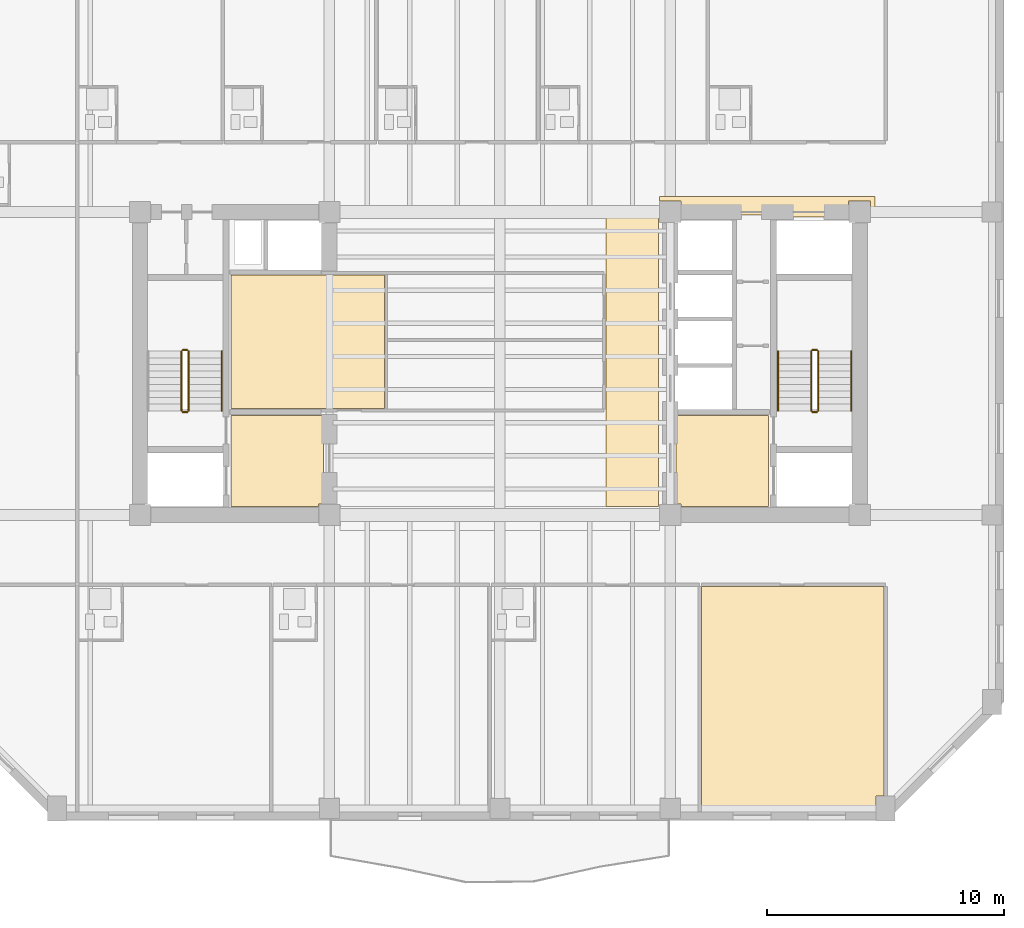
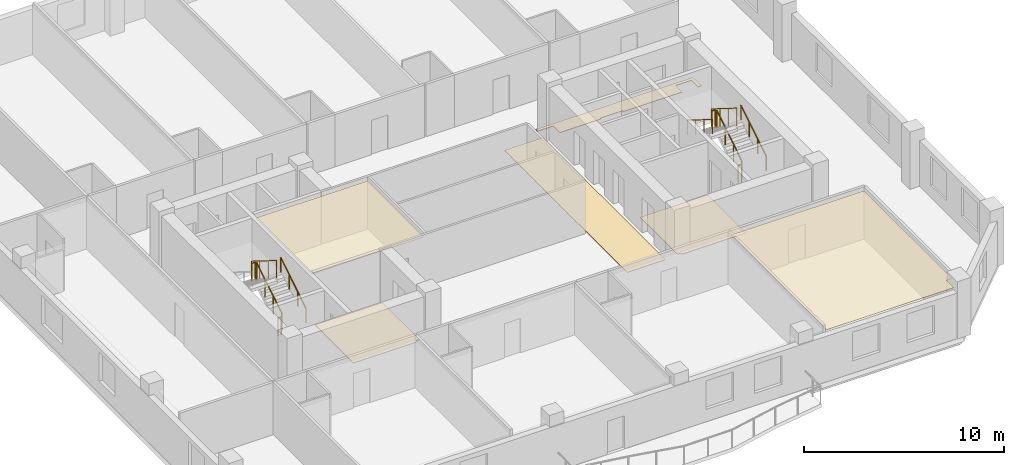
# One storey, part 8 of 10: 11 railings, 6 coverings.
"""IFC4 building model written with IfcOpenShell, lengths in metres."""

import ifcopenshell
import ifcopenshell.guid

model = None  # the IFC model being written
_history = None  # IfcOwnerHistory: only IFC2X3 demands one
_inside = {}  # id of a spatial element -> (the spatial element, [elements in it])
_under = {}  # id of a project, library or spatial element -> (it, [spatial elements below it])
_declared = {}  # id of a project -> (the project, [libraries it declares])
_typed = {}  # id of a type object -> (the type object, [elements of that type])
_made_of = {}  # id of a material, layer set ... -> (it, [elements and type objects made of it])


def new_model(schema):
    """Start an empty IFC model of exactly this schema.

    Asked for "IFC4X3", IfcOpenShell would pick the latest addendum, in which some entities
    have other attributes; the version numbers below select the first issue.
    IFC2X3 requires an IfcOwnerHistory on every rooted entity: one is made here for all.
    """
    global model, _history
    if schema == "IFC4X3":
        model = ifcopenshell.file(schema_version=(4, 3, 0, 0))
    else:
        model = ifcopenshell.file(schema=schema)
    _inside.clear()
    _under.clear()
    _declared.clear()
    _typed.clear()
    _made_of.clear()
    _history = None
    if model.schema == "IFC2X3":
        org = make("IfcOrganization", Name="unknown")
        user = make(
            "IfcPersonAndOrganization",
            ThePerson=make("IfcPerson", FamilyName="unknown"),
            TheOrganization=org,
        )
        app = make(
            "IfcApplication",
            ApplicationDeveloper=org,
            Version="unknown",
            ApplicationFullName="unknown",
            ApplicationIdentifier="unknown",
        )
        _history = make(
            "IfcOwnerHistory",
            OwningUser=user,
            OwningApplication=app,
            ChangeAction="ADDED",
            CreationDate=0,
        )
    return model


def make(cls, **values):
    """One entity of the class cls with the attributes given. An attribute that is None is left unset."""
    return model.create_entity(
        cls, **{name: value for name, value in values.items() if value is not None}
    )


def rooted(cls, **values):
    """An entity with a GlobalId (a new one), such as an element, a storey or a relation."""
    return make(cls, GlobalId=ifcopenshell.guid.new(), OwnerHistory=_history, **values)


def si_unit(unit_type, name, prefix=None):
    """IfcSIUnit, for example si_unit("LENGTHUNIT", "METRE", prefix="MILLI")."""
    return make("IfcSIUnit", UnitType=unit_type, Prefix=prefix, Name=name)


def assignment(units):
    """IfcUnitAssignment: the units of a project."""
    return None if units is None else make("IfcUnitAssignment", Units=units)


def point(xyz):
    """IfcCartesianPoint."""
    return None if xyz is None else make("IfcCartesianPoint", Coordinates=xyz)


def direction(xyz):
    """IfcDirection."""
    return None if xyz is None else make("IfcDirection", DirectionRatios=xyz)


def frame(location, z_axis=None, x_axis=None):
    """IfcAxis2Placement3D, a coordinate frame: its origin and axes. An axis left out is left unset."""
    return make(
        "IfcAxis2Placement3D",
        Location=point(location),
        Axis=direction(z_axis),
        RefDirection=direction(x_axis),
    )


def frame_2d(location, x_axis=None):
    """IfcAxis2Placement2D, a coordinate frame in the plane: its origin and x axis."""
    return make(
        "IfcAxis2Placement2D", Location=point(location), RefDirection=direction(x_axis)
    )


def origin():
    """The frame at (0, 0, 0) with its axes left unset."""
    return frame((0.0, 0.0, 0.0))


def origin_2d():
    """The frame at (0, 0) in the plane with its x axis left unset."""
    return frame_2d((0.0, 0.0))


def place(relative_to, where):
    """IfcLocalPlacement: puts the frame where relative to a parent placement (None: the world)."""
    return make(
        "IfcLocalPlacement", PlacementRelTo=relative_to, RelativePlacement=where
    )


def context(
    kind, dimensions, precision=None, world=None, true_north=None, identifier=None
):
    """IfcGeometricRepresentationContext, for example the 3D "Model" context."""
    return make(
        "IfcGeometricRepresentationContext",
        ContextIdentifier=identifier,
        ContextType=kind,
        CoordinateSpaceDimension=dimensions,
        Precision=precision,
        WorldCoordinateSystem=world,
        TrueNorth=true_north,
    )


def subcontext(parent, identifier, kind, view, scale=None):
    """IfcGeometricRepresentationSubContext, for example "Body" below "Model"."""
    return make(
        "IfcGeometricRepresentationSubContext",
        ContextIdentifier=identifier,
        ContextType=kind,
        ParentContext=parent,
        TargetScale=scale,
        TargetView=view,
    )


def project(units=None, contexts=None):
    """IfcProject with its units and contexts."""
    return rooted(
        "IfcProject",
        Name="project",
        RepresentationContexts=contexts,
        UnitsInContext=assignment(units),
    )


def spatial(cls, under=None, at=None, **own):
    """A site, building, storey or space (cls), placed at a placement, below another one or the project."""
    s = rooted(cls, ObjectPlacement=at, **own)
    if under is not None:
        _under.setdefault(under.id(), (under, []))[1].append(s)
    return s


def polyline(points):
    """IfcPolyline through the points."""
    return make("IfcPolyline", Points=[point(p) for p in points])


def profile(cls, at=None, kind="AREA", **sizes):
    """A parametric profile (cls). Its sizes go by their IFC names, for example OverallWidth=200.0."""
    return make(cls, ProfileType=kind, Position=at, **sizes)


def circle(**sizes):
    """IfcCircleProfileDef."""
    return profile("IfcCircleProfileDef", **sizes)


def outline(outer, holes=None, kind="AREA"):
    """IfcArbitraryClosedProfileDef: a profile drawn as a closed curve; with holes, ...WithVoids."""
    if holes is None:
        return make("IfcArbitraryClosedProfileDef", ProfileType=kind, OuterCurve=outer)
    return make(
        "IfcArbitraryProfileDefWithVoids",
        ProfileType=kind,
        OuterCurve=outer,
        InnerCurves=holes,
    )


def extrude(swept, where, along, depth):
    """IfcExtrudedAreaSolid: the profile swept, set in the frame where, extruded along a direction by depth."""
    return make(
        "IfcExtrudedAreaSolid",
        SweptArea=swept,
        Position=where,
        ExtrudedDirection=direction(along),
        Depth=depth,
    )


def shape(context_of_items, identifier, shape_type, items):
    """IfcShapeRepresentation: the items that make up one representation, for example the "Body"."""
    return make(
        "IfcShapeRepresentation",
        ContextOfItems=context_of_items,
        RepresentationIdentifier=identifier,
        RepresentationType=shape_type,
        Items=items,
    )


def material(Name=None, Category=None):
    """IfcMaterial."""
    return make("IfcMaterial", Name=Name, Category=Category)


def layer(
    of_material, thickness, ventilated=None, Name=None, Category=None, Priority=None
):
    """IfcMaterialLayer: one layer of a wall or slab, of a material (None: an air gap)."""
    return make(
        "IfcMaterialLayer",
        Material=of_material,
        LayerThickness=thickness,
        IsVentilated=ventilated,
        Name=Name,
        Category=Category,
        Priority=Priority,
    )


def layer_set(layers, Name=None):
    """IfcMaterialLayerSet."""
    return make("IfcMaterialLayerSet", MaterialLayers=layers, LayerSetName=Name)


def made_of(thing, what):
    """Note that an element or type object is made of a material, layer set ...; save() writes the relation."""
    if what is not None:
        _made_of.setdefault(what.id(), (what, []))[1].append(thing)
    return thing


def type_object(cls, material=None, **own):
    """A type object (cls), such as IfcWallType, which elements share."""
    return made_of(rooted(cls, **own), material)


def element(
    cls,
    number,
    at=None,
    inside=None,
    cuts=None,
    type_object=None,
    material=None,
    context=None,
    identifier="Body",
    shape_type=None,
    held_by="IfcProductDefinitionShape",
    body=None,
    shapes=None,
    **own,
):
    """One element of the class cls, such as IfcWall. Its Tag is "e" and its number.

    at: its placement. inside: the storey or other place that contains it. cuts: it is an
    opening in that element (IfcRelVoidsElement). A single representation is given by context,
    identifier, shape_type and body (its items); several are given by shapes. held_by: the class
    of the entity that holds the representations. save() writes the other relations.
    """
    e = rooted(cls, Tag="e%d" % number, ObjectPlacement=at, **own)
    if body is not None:
        shapes = [shape(context, identifier, shape_type, body)]
    if shapes is not None:
        e.Representation = make(held_by, Representations=shapes)
    if inside is not None:
        _inside.setdefault(inside.id(), (inside, []))[1].append(e)
    if cuts is not None:
        rooted(
            "IfcRelVoidsElement", RelatingBuildingElement=cuts, RelatedOpeningElement=e
        )
    if type_object is not None:
        _typed.setdefault(type_object.id(), (type_object, []))[1].append(e)
    return made_of(e, material)


def aggregate(whole, parts):
    """IfcRelAggregates: a whole, such as a stair, and the parts it consists of."""
    return rooted("IfcRelAggregates", RelatingObject=whole, RelatedObjects=parts)


def save(model, path):
    """Write the relations noted so far, then the file.

    IfcRelAggregates (storeys below a building ...), IfcRelContainedInSpatialStructure (elements
    in a storey), IfcRelDefinesByType, IfcRelAssociatesMaterial and IfcRelDeclares: one each for
    every whole, place, type object, material and project.
    """
    for whole, parts in _under.values():
        aggregate(whole, parts)
    for where, things in _inside.values():
        rooted(
            "IfcRelContainedInSpatialStructure",
            RelatedElements=things,
            RelatingStructure=where,
        )
    for kind, things in _typed.values():
        rooted("IfcRelDefinesByType", RelatedObjects=things, RelatingType=kind)
    for what, things in _made_of.values():
        rooted("IfcRelAssociatesMaterial", RelatedObjects=things, RelatingMaterial=what)
    for by, libraries in _declared.values():
        rooted("IfcRelDeclares", RelatingContext=by, RelatedDefinitions=libraries)
    model.write(path)


model = new_model("IFC4")

# Units and contexts
model_context = context("Model", 3, precision=1e-05, world=origin(), true_north=direction((0.0, 1.0)))
body_context = subcontext(model_context, "Body", "Model", "MODEL_VIEW")
ifc_project = project(units=[si_unit("LENGTHUNIT", "METRE"), si_unit("AREAUNIT", "SQUARE_METRE"), si_unit("VOLUMEUNIT", "CUBIC_METRE"), si_unit("PLANEANGLEUNIT", "RADIAN"), si_unit("MASSUNIT", "GRAM", prefix="KILO")], contexts=[model_context])

# Site, building, storey
site_placement = place(None, origin())
site = spatial("IfcSite", under=ifc_project, at=site_placement, CompositionType="ELEMENT")
building_placement = place(site_placement, origin())
building = spatial("IfcBuilding", under=site, at=building_placement, Name="Kranthara Brick Stack", CompositionType="ELEMENT")
storey_placement = place(building_placement, frame((0.0, 0.0, 186.800048828125)))
storey = spatial("IfcBuildingStorey", under=building, at=storey_placement, Name="L48", CompositionType="ELEMENT", Elevation=186.800048828125)

# Coverings
ifc_material_1 = material(Name="Perforated mineral-fibre acoustic ceiling tile", Category="other")
ifc_layer_1 = layer(ifc_material_1, 0.02490234375)
ifc_layer_set_1 = layer_set([ifc_layer_1], Name="Perforated mineral-fibre acoustic ceiling tile")
covering_type_1 = type_object("IfcCoveringType", Name="COV-CEIL-ACOUSTIC", PredefinedType="CEILING", material=ifc_layer_set_1)
covering_1_placement = place(storey_placement, frame((0.0, 0.0, 2.929931640625)))
element("IfcCovering", 1, at=covering_1_placement, inside=storey, type_object=covering_type_1, Name="L48 L48 Hotel Business Study Acoustic Ceiling", PredefinedType="CEILING", context=body_context, shape_type="SweptSolid", body=[
    extrude(outline(polyline([(23.1201171875, 25.300048828125), (23.1201171875, 30.93994140625), (16.64990234375, 30.93994140625), (16.64990234375, 25.300048828125), (23.1201171875, 25.300048828125)])), origin(), (0.0, 0.0, 1.0), 0.02490234375),
])
covering_2_placement = place(storey_placement, frame((0.0, 0.0, 2.929931640625)))
element("IfcCovering", 2, at=covering_2_placement, inside=storey, type_object=covering_type_1, Name="L48 L48 Guest Sky Lounge 4 Acoustic Ceiling", PredefinedType="CEILING", context=body_context, shape_type="SweptSolid", body=[
    extrude(outline(polyline([(36.52587890625, 8.199951171875), (36.52587890625, 17.77001953125), (44.219970703125, 17.77001953125), (44.219970703125, 8.93505859375), (43.889892578125, 8.93505859375), (43.889892578125, 8.199951171875), (36.52587890625, 8.199951171875)])), origin(), (0.0, 0.0, 1.0), 0.02490234375),
])
ifc_material_2 = material(Name="Honed terrazzo and porcelain floor finish", Category="stone")
ifc_layer_2 = layer(ifc_material_2, 0.030029296875)
ifc_layer_set_2 = layer_set([ifc_layer_2], Name="Honed terrazzo and porcelain floor finish")
covering_type_2 = type_object("IfcCoveringType", Name="COV-FLOR-STONE", PredefinedType="FLOORING", material=ifc_layer_set_2)
covering_3_placement = place(storey_placement, origin())
element("IfcCovering", 3, at=covering_3_placement, inside=storey, type_object=covering_type_2, Name="L48 Lift Lobby Stone Flooring", PredefinedType="FLOORING", context=body_context, shape_type="SweptSolid", body=[
    extrude(outline(polyline([(16.64990234375, 21.14990234375), (16.64990234375, 25.0), (20.550048828125, 25.0), (20.550048828125, 21.260009765625), (20.340087890625, 21.260009765625), (20.340087890625, 21.14990234375), (16.64990234375, 21.14990234375)])), origin(), (0.0, 0.0, 1.0), 0.030029296875),
])
covering_4_placement = place(storey_placement, origin())
element("IfcCovering", 4, at=covering_4_placement, inside=storey, type_object=covering_type_2, Name="L48 Lift Lobby Stone Flooring", PredefinedType="FLOORING", context=body_context, shape_type="SweptSolid", body=[
    extrude(outline(polyline([(35.449951171875, 25.0), (39.35009765625, 25.0), (39.35009765625, 21.14990234375), (35.659912109375, 21.14990234375), (35.659912109375, 21.260009765625), (35.449951171875, 21.260009765625), (35.449951171875, 25.0)])), origin(), (0.0, 0.0, 1.0), 0.030029296875),
])
covering_5_placement = place(storey_placement, origin())
element("IfcCovering", 5, at=covering_5_placement, inside=storey, type_object=covering_type_2, Name="L48 Lift Lobby Stone Flooring", PredefinedType="FLOORING", context=body_context, shape_type="SweptSolid", body=[
    extrude(outline(polyline([(34.699951171875, 21.14990234375), (34.699951171875, 33.449951171875), (32.47998046875, 33.449951171875), (32.47998046875, 21.14990234375), (34.699951171875, 21.14990234375)])), origin(), (0.0, 0.0, 1.0), 0.030029296875),
])
covering_6_placement = place(storey_placement, origin())
element("IfcCovering", 6, at=covering_6_placement, inside=storey, type_object=covering_type_2, Name="L48 Lift Lobby Stone Flooring", PredefinedType="FLOORING", context=body_context, shape_type="SweptSolid", body=[
    extrude(outline(polyline([(43.659912109375, 33.39990234375), (43.659912109375, 34.06005859375), (42.739990234375, 34.06005859375), (42.739990234375, 33.39990234375), (39.35009765625, 33.39990234375), (39.35009765625, 33.47998046875), (38.050048828125, 33.47998046875), (38.050048828125, 33.39990234375), (35.659912109375, 33.39990234375), (35.659912109375, 34.06005859375), (34.75, 34.06005859375), (34.75, 34.25), (43.85009765625, 34.25), (43.85009765625, 33.39990234375), (43.659912109375, 33.39990234375)])), origin(), (0.0, 0.0, 1.0), 0.030029296875),
])

# Railings
ifc_material_3 = material(Name="Painted galvanized steel stair guardrail", Category="steel")
railing_type_1 = type_object("IfcRailingType", Name="RL-STAIR-GUARD-1100", PredefinedType="GUARDRAIL", material=ifc_material_3)
railing_1_placement = place(storey_placement, frame((14.85009765625, 25.199951171875, 0.175048828125)))
element("IfcRailing", 7, at=railing_1_placement, inside=storey, type_object=railing_type_1, Name="L48 ST01 stair guard 1", PredefinedType="GUARDRAIL", context=body_context, shape_type="SweptSolid", body=[
    extrude(circle(Radius=0.02392578125, at=origin_2d()), frame((0.0, 0.0, 1.076171875), z_axis=(0.0, 0.848007534815, 0.529984170421), x_axis=(-1.0, 0.0, 0.0)), (0.0, 0.0, 1.0), 2.9716796875),
    extrude(circle(Radius=0.02099609375, at=origin_2d()), origin(), (0.0, 0.0, 1.0), 1.052001953125),
    extrude(circle(Radius=0.02099609375, at=origin_2d()), frame((0.0, 0.840087890625, 0.52490234375)), (0.0, 0.0, 1.0), 1.052001953125),
    extrude(circle(Radius=0.02099609375, at=origin_2d()), frame((0.0, 1.679931640625, 1.050048828125)), (0.0, 0.0, 1.0), 1.052001953125),
    extrude(circle(Radius=0.02099609375, at=origin_2d()), frame((0.0, 2.52001953125, 1.574951171875)), (0.0, 0.0, 1.0), 1.052001953125),
])
railing_2_placement = place(storey_placement, frame((14.800048828125, 27.77001953125, 1.75)))
element("IfcRailing", 8, at=railing_2_placement, inside=storey, type_object=railing_type_1, Name="L48 ST01 stair guard 2", PredefinedType="GUARDRAIL", context=body_context, shape_type="SweptSolid", body=[
    extrude(circle(Radius=0.02392578125, at=origin_2d()), frame((0.0, 0.0, 1.076171875), z_axis=(-1.0, 0.0, 0.0), x_axis=(0.0, -1.0, 0.0)), (0.0, 0.0, 1.0), 0.199951171875),
    extrude(circle(Radius=0.02099609375, at=origin_2d()), origin(), (0.0, 0.0, 1.0), 1.052001953125),
    extrude(circle(Radius=0.02099609375, at=origin_2d()), frame((-0.199951171875, 0.0, 0.0)), (0.0, 0.0, 1.0), 1.052001953125),
])
railing_3_placement = place(storey_placement, frame((14.550048828125, 27.719970703125, 1.925048828125)))
element("IfcRailing", 9, at=railing_3_placement, inside=storey, type_object=railing_type_1, Name="L48 ST01 stair guard 3", PredefinedType="GUARDRAIL", context=body_context, shape_type="SweptSolid", body=[
    extrude(circle(Radius=0.02392578125, at=origin_2d()), frame((0.0, 0.0, 1.076171875), z_axis=(0.0, -0.848007534815, 0.529984170421), x_axis=(1.0, 0.0, 0.0)), (0.0, 0.0, 1.0), 2.9716796875),
    extrude(circle(Radius=0.02099609375, at=origin_2d()), origin(), (0.0, 0.0, 1.0), 1.052001953125),
    extrude(circle(Radius=0.02099609375, at=origin_2d()), frame((0.0, -0.840087890625, 0.52490234375)), (0.0, 0.0, 1.0), 1.052001953125),
    extrude(circle(Radius=0.02099609375, at=origin_2d()), frame((0.0, -1.679931640625, 1.050048828125)), (0.0, 0.0, 1.0), 1.052001953125),
    extrude(circle(Radius=0.02099609375, at=origin_2d()), frame((0.0, -2.52001953125, 1.574951171875)), (0.0, 0.0, 1.0), 1.052001953125),
])
railing_4_placement = place(storey_placement, frame((14.800048828125, 25.14990234375, 0.0)))
element("IfcRailing", 10, at=railing_4_placement, inside=storey, type_object=railing_type_1, Name="L48 ST01 stair guard 4", PredefinedType="GUARDRAIL", context=body_context, shape_type="SweptSolid", body=[
    extrude(circle(Radius=0.02392578125, at=origin_2d()), frame((0.0, 0.0, 1.076171875), z_axis=(-1.0, 0.0, 0.0), x_axis=(0.0, -1.0, 0.0)), (0.0, 0.0, 1.0), 0.199951171875),
    extrude(circle(Radius=0.02099609375, at=origin_2d()), origin(), (0.0, 0.0, 1.0), 1.052001953125),
    extrude(circle(Radius=0.02099609375, at=origin_2d()), frame((-0.199951171875, 0.0, 0.0)), (0.0, 0.0, 1.0), 1.052001953125),
])
railing_5_placement = place(storey_placement, frame((41.449951171875, 25.199951171875, 0.175048828125)))
element("IfcRailing", 11, at=railing_5_placement, inside=storey, type_object=railing_type_1, Name="L48 ST02 stair guard 1", PredefinedType="GUARDRAIL", context=body_context, shape_type="SweptSolid", body=[
    extrude(circle(Radius=0.02392578125, at=origin_2d()), frame((0.0, 0.0, 1.076171875), z_axis=(0.0, 0.848007534815, 0.529984170421), x_axis=(-1.0, 0.0, 0.0)), (0.0, 0.0, 1.0), 2.9716796875),
    extrude(circle(Radius=0.02099609375, at=origin_2d()), origin(), (0.0, 0.0, 1.0), 1.052001953125),
    extrude(circle(Radius=0.02099609375, at=origin_2d()), frame((0.0, 0.840087890625, 0.52490234375)), (0.0, 0.0, 1.0), 1.052001953125),
    extrude(circle(Radius=0.02099609375, at=origin_2d()), frame((0.0, 1.679931640625, 1.050048828125)), (0.0, 0.0, 1.0), 1.052001953125),
    extrude(circle(Radius=0.02099609375, at=origin_2d()), frame((0.0, 2.52001953125, 1.574951171875)), (0.0, 0.0, 1.0), 1.052001953125),
])
railing_6_placement = place(storey_placement, frame((41.39990234375, 27.77001953125, 1.75)))
element("IfcRailing", 12, at=railing_6_placement, inside=storey, type_object=railing_type_1, Name="L48 ST02 stair guard 2", PredefinedType="GUARDRAIL", context=body_context, shape_type="SweptSolid", body=[
    extrude(circle(Radius=0.02392578125, at=origin_2d()), frame((0.0, 0.0, 1.076171875), z_axis=(-1.0, 0.0, 0.0), x_axis=(0.0, -1.0, 0.0)), (0.0, 0.0, 1.0), 0.199951171875),
    extrude(circle(Radius=0.02099609375, at=origin_2d()), origin(), (0.0, 0.0, 1.0), 1.052001953125),
    extrude(circle(Radius=0.02099609375, at=origin_2d()), frame((-0.199951171875, 0.0, 0.0)), (0.0, 0.0, 1.0), 1.052001953125),
])
railing_7_placement = place(storey_placement, frame((41.14990234375, 27.719970703125, 1.925048828125)))
element("IfcRailing", 13, at=railing_7_placement, inside=storey, type_object=railing_type_1, Name="L48 ST02 stair guard 3", PredefinedType="GUARDRAIL", context=body_context, shape_type="SweptSolid", body=[
    extrude(circle(Radius=0.02392578125, at=origin_2d()), frame((0.0, 0.0, 1.076171875), z_axis=(0.0, -0.848007534815, 0.529984170421), x_axis=(1.0, 0.0, 0.0)), (0.0, 0.0, 1.0), 2.9716796875),
    extrude(circle(Radius=0.02099609375, at=origin_2d()), origin(), (0.0, 0.0, 1.0), 1.052001953125),
    extrude(circle(Radius=0.02099609375, at=origin_2d()), frame((0.0, -0.840087890625, 0.52490234375)), (0.0, 0.0, 1.0), 1.052001953125),
    extrude(circle(Radius=0.02099609375, at=origin_2d()), frame((0.0, -1.679931640625, 1.050048828125)), (0.0, 0.0, 1.0), 1.052001953125),
    extrude(circle(Radius=0.02099609375, at=origin_2d()), frame((0.0, -2.52001953125, 1.574951171875)), (0.0, 0.0, 1.0), 1.052001953125),
])
railing_8_placement = place(storey_placement, frame((41.39990234375, 25.14990234375, 0.0)))
element("IfcRailing", 14, at=railing_8_placement, inside=storey, type_object=railing_type_1, Name="L48 ST02 stair guard 4", PredefinedType="GUARDRAIL", context=body_context, shape_type="SweptSolid", body=[
    extrude(circle(Radius=0.02392578125, at=origin_2d()), frame((0.0, 0.0, 1.076171875), z_axis=(-1.0, 0.0, 0.0), x_axis=(0.0, -1.0, 0.0)), (0.0, 0.0, 1.0), 0.199951171875),
    extrude(circle(Radius=0.02099609375, at=origin_2d()), origin(), (0.0, 0.0, 1.0), 1.052001953125),
    extrude(circle(Radius=0.02099609375, at=origin_2d()), frame((-0.199951171875, 0.0, 0.0)), (0.0, 0.0, 1.0), 1.052001953125),
])
ifc_material_4 = material(Name="Brushed stainless steel tubular handrail", Category="steel")
railing_type_2 = type_object("IfcRailingType", Name="RL-STAIR-HAND-900", PredefinedType="HANDRAIL", material=ifc_material_4)
for number, where, name in (
    (15, (16.25, 25.199951171875, 0.175048828125), "L48 ST01 stair handrail 1"),
    (16, (42.85009765625, 25.199951171875, 0.175048828125), "L48 ST02 stair handrail 1"),
):
    element("IfcRailing", number, at=place(storey_placement, frame(where)), inside=storey, type_object=railing_type_2, Name=name, PredefinedType="HANDRAIL", context=body_context, shape_type="SweptSolid", body=[
        extrude(circle(Radius=0.02392578125, at=origin_2d()), frame((0.0, 0.0, 0.8759765625), z_axis=(0.0, 0.848007534815, 0.529984170421), x_axis=(-1.0, 0.0, 0.0)), (0.0, 0.0, 1.0), 2.9716796875),
        extrude(circle(Radius=0.02099609375, at=origin_2d()), origin(), (0.0, 0.0, 1.0), 0.851806640625),
        extrude(circle(Radius=0.02099609375, at=origin_2d()), frame((0.0, 0.840087890625, 0.52490234375)), (0.0, 0.0, 1.0), 0.851806640625),
        extrude(circle(Radius=0.02099609375, at=origin_2d()), frame((0.0, 1.679931640625, 1.050048828125)), (0.0, 0.0, 1.0), 0.851806640625),
        extrude(circle(Radius=0.02099609375, at=origin_2d()), frame((0.0, 2.52001953125, 1.574951171875)), (0.0, 0.0, 1.0), 0.851806640625),
    ])
railing_9_placement = place(storey_placement, frame((39.75, 27.719970703125, 1.925048828125)))
element("IfcRailing", 17, at=railing_9_placement, inside=storey, type_object=railing_type_2, Name="L48 ST02 stair handrail 2", PredefinedType="HANDRAIL", context=body_context, shape_type="SweptSolid", body=[
    extrude(circle(Radius=0.02392578125, at=origin_2d()), frame((0.0, 0.0, 0.8759765625), z_axis=(0.0, -0.848007534815, 0.529984170421), x_axis=(1.0, 0.0, 0.0)), (0.0, 0.0, 1.0), 2.9716796875),
    extrude(circle(Radius=0.02099609375, at=origin_2d()), origin(), (0.0, 0.0, 1.0), 0.851806640625),
    extrude(circle(Radius=0.02099609375, at=origin_2d()), frame((0.0, -0.840087890625, 0.52490234375)), (0.0, 0.0, 1.0), 0.851806640625),
    extrude(circle(Radius=0.02099609375, at=origin_2d()), frame((0.0, -1.679931640625, 1.050048828125)), (0.0, 0.0, 1.0), 0.851806640625),
    extrude(circle(Radius=0.02099609375, at=origin_2d()), frame((0.0, -2.52001953125, 1.574951171875)), (0.0, 0.0, 1.0), 0.851806640625),
])

save(model, "model.ifc")
